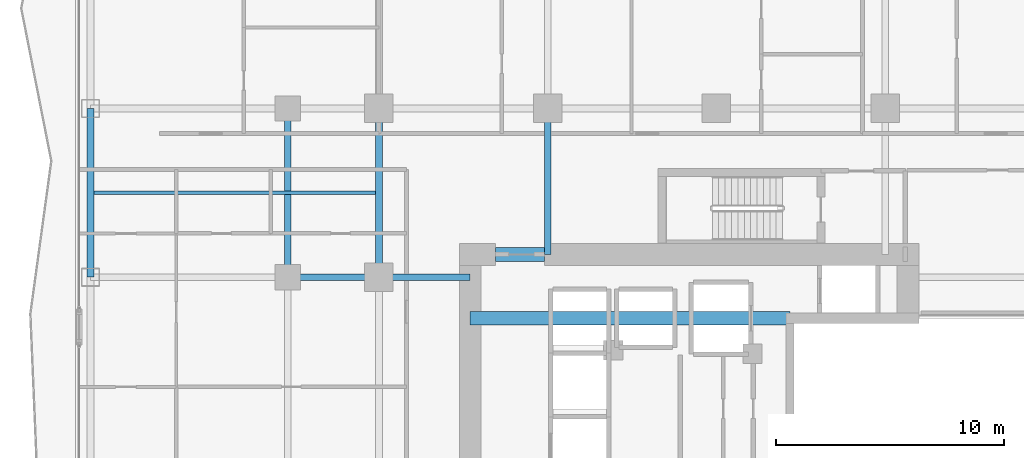
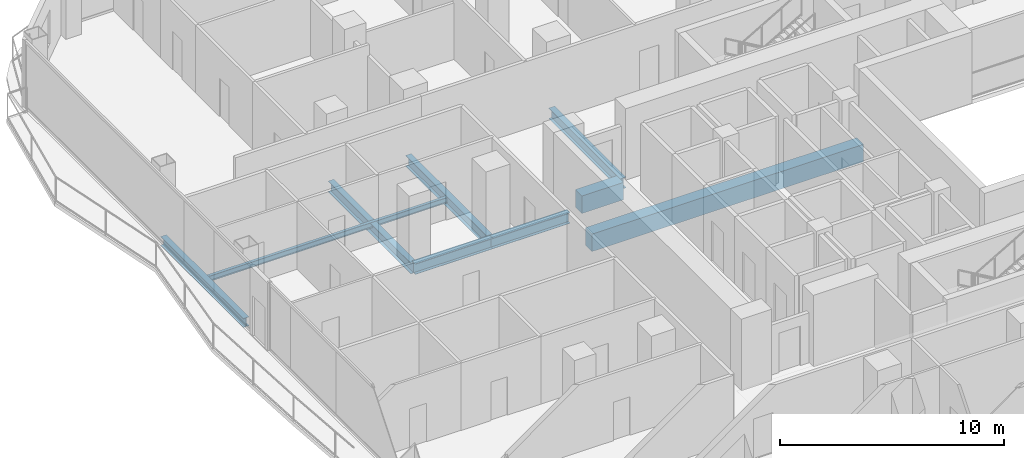
# One storey, part 7 of 28: 9 beams.
"""IFC4 building model written with IfcOpenShell, lengths in metres."""

import ifcopenshell
import ifcopenshell.guid

model = None  # the IFC model being written
_history = None  # IfcOwnerHistory: only IFC2X3 demands one
_inside = {}  # id of a spatial element -> (the spatial element, [elements in it])
_under = {}  # id of a project, library or spatial element -> (it, [spatial elements below it])
_declared = {}  # id of a project -> (the project, [libraries it declares])
_typed = {}  # id of a type object -> (the type object, [elements of that type])
_made_of = {}  # id of a material, layer set ... -> (it, [elements and type objects made of it])


def new_model(schema):
    """Start an empty IFC model of exactly this schema.

    Asked for "IFC4X3", IfcOpenShell would pick the latest addendum, in which some entities
    have other attributes; the version numbers below select the first issue.
    IFC2X3 requires an IfcOwnerHistory on every rooted entity: one is made here for all.
    """
    global model, _history
    if schema == "IFC4X3":
        model = ifcopenshell.file(schema_version=(4, 3, 0, 0))
    else:
        model = ifcopenshell.file(schema=schema)
    _inside.clear()
    _under.clear()
    _declared.clear()
    _typed.clear()
    _made_of.clear()
    _history = None
    if model.schema == "IFC2X3":
        org = make("IfcOrganization", Name="unknown")
        user = make(
            "IfcPersonAndOrganization",
            ThePerson=make("IfcPerson", FamilyName="unknown"),
            TheOrganization=org,
        )
        app = make(
            "IfcApplication",
            ApplicationDeveloper=org,
            Version="unknown",
            ApplicationFullName="unknown",
            ApplicationIdentifier="unknown",
        )
        _history = make(
            "IfcOwnerHistory",
            OwningUser=user,
            OwningApplication=app,
            ChangeAction="ADDED",
            CreationDate=0,
        )
    return model


def make(cls, **values):
    """One entity of the class cls with the attributes given. An attribute that is None is left unset."""
    return model.create_entity(
        cls, **{name: value for name, value in values.items() if value is not None}
    )


def rooted(cls, **values):
    """An entity with a GlobalId (a new one), such as an element, a storey or a relation."""
    return make(cls, GlobalId=ifcopenshell.guid.new(), OwnerHistory=_history, **values)


def si_unit(unit_type, name, prefix=None):
    """IfcSIUnit, for example si_unit("LENGTHUNIT", "METRE", prefix="MILLI")."""
    return make("IfcSIUnit", UnitType=unit_type, Prefix=prefix, Name=name)


def assignment(units):
    """IfcUnitAssignment: the units of a project."""
    return None if units is None else make("IfcUnitAssignment", Units=units)


def point(xyz):
    """IfcCartesianPoint."""
    return None if xyz is None else make("IfcCartesianPoint", Coordinates=xyz)


def direction(xyz):
    """IfcDirection."""
    return None if xyz is None else make("IfcDirection", DirectionRatios=xyz)


def frame(location, z_axis=None, x_axis=None):
    """IfcAxis2Placement3D, a coordinate frame: its origin and axes. An axis left out is left unset."""
    return make(
        "IfcAxis2Placement3D",
        Location=point(location),
        Axis=direction(z_axis),
        RefDirection=direction(x_axis),
    )


def frame_2d(location, x_axis=None):
    """IfcAxis2Placement2D, a coordinate frame in the plane: its origin and x axis."""
    return make(
        "IfcAxis2Placement2D", Location=point(location), RefDirection=direction(x_axis)
    )


def origin():
    """The frame at (0, 0, 0) with its axes left unset."""
    return frame((0.0, 0.0, 0.0))


def origin_2d():
    """The frame at (0, 0) in the plane with its x axis left unset."""
    return frame_2d((0.0, 0.0))


def place(relative_to, where):
    """IfcLocalPlacement: puts the frame where relative to a parent placement (None: the world)."""
    return make(
        "IfcLocalPlacement", PlacementRelTo=relative_to, RelativePlacement=where
    )


def context(
    kind, dimensions, precision=None, world=None, true_north=None, identifier=None
):
    """IfcGeometricRepresentationContext, for example the 3D "Model" context."""
    return make(
        "IfcGeometricRepresentationContext",
        ContextIdentifier=identifier,
        ContextType=kind,
        CoordinateSpaceDimension=dimensions,
        Precision=precision,
        WorldCoordinateSystem=world,
        TrueNorth=true_north,
    )


def subcontext(parent, identifier, kind, view, scale=None):
    """IfcGeometricRepresentationSubContext, for example "Body" below "Model"."""
    return make(
        "IfcGeometricRepresentationSubContext",
        ContextIdentifier=identifier,
        ContextType=kind,
        ParentContext=parent,
        TargetScale=scale,
        TargetView=view,
    )


def project(units=None, contexts=None):
    """IfcProject with its units and contexts."""
    return rooted(
        "IfcProject",
        Name="project",
        RepresentationContexts=contexts,
        UnitsInContext=assignment(units),
    )


def spatial(cls, under=None, at=None, **own):
    """A site, building, storey or space (cls), placed at a placement, below another one or the project."""
    s = rooted(cls, ObjectPlacement=at, **own)
    if under is not None:
        _under.setdefault(under.id(), (under, []))[1].append(s)
    return s


def profile(cls, at=None, kind="AREA", **sizes):
    """A parametric profile (cls). Its sizes go by their IFC names, for example OverallWidth=200.0."""
    return make(cls, ProfileType=kind, Position=at, **sizes)


def rectangle(**sizes):
    """IfcRectangleProfileDef."""
    return profile("IfcRectangleProfileDef", **sizes)


def i_section(**sizes):
    """IfcIShapeProfileDef."""
    return profile("IfcIShapeProfileDef", **sizes)


def extrude(swept, where, along, depth):
    """IfcExtrudedAreaSolid: the profile swept, set in the frame where, extruded along a direction by depth."""
    return make(
        "IfcExtrudedAreaSolid",
        SweptArea=swept,
        Position=where,
        ExtrudedDirection=direction(along),
        Depth=depth,
    )


def shape(context_of_items, identifier, shape_type, items):
    """IfcShapeRepresentation: the items that make up one representation, for example the "Body"."""
    return make(
        "IfcShapeRepresentation",
        ContextOfItems=context_of_items,
        RepresentationIdentifier=identifier,
        RepresentationType=shape_type,
        Items=items,
    )


def material(Name=None, Category=None):
    """IfcMaterial."""
    return make("IfcMaterial", Name=Name, Category=Category)


def material_profile(
    of_material, cross_section, Name=None, Category=None, Priority=None
):
    """IfcMaterialProfile: a cross section and its material."""
    return make(
        "IfcMaterialProfile",
        Name=Name,
        Material=of_material,
        Profile=cross_section,
        Priority=Priority,
        Category=Category,
    )


def profile_set(profiles, Name=None, composite=None):
    """IfcMaterialProfileSet."""
    return make(
        "IfcMaterialProfileSet",
        Name=Name,
        MaterialProfiles=profiles,
        CompositeProfile=composite,
    )


def made_of(thing, what):
    """Note that an element or type object is made of a material, layer set ...; save() writes the relation."""
    if what is not None:
        _made_of.setdefault(what.id(), (what, []))[1].append(thing)
    return thing


def type_object(cls, material=None, **own):
    """A type object (cls), such as IfcWallType, which elements share."""
    return made_of(rooted(cls, **own), material)


def element(
    cls,
    number,
    at=None,
    inside=None,
    cuts=None,
    type_object=None,
    material=None,
    context=None,
    identifier="Body",
    shape_type=None,
    held_by="IfcProductDefinitionShape",
    body=None,
    shapes=None,
    **own,
):
    """One element of the class cls, such as IfcWall. Its Tag is "e" and its number.

    at: its placement. inside: the storey or other place that contains it. cuts: it is an
    opening in that element (IfcRelVoidsElement). A single representation is given by context,
    identifier, shape_type and body (its items); several are given by shapes. held_by: the class
    of the entity that holds the representations. save() writes the other relations.
    """
    e = rooted(cls, Tag="e%d" % number, ObjectPlacement=at, **own)
    if body is not None:
        shapes = [shape(context, identifier, shape_type, body)]
    if shapes is not None:
        e.Representation = make(held_by, Representations=shapes)
    if inside is not None:
        _inside.setdefault(inside.id(), (inside, []))[1].append(e)
    if cuts is not None:
        rooted(
            "IfcRelVoidsElement", RelatingBuildingElement=cuts, RelatedOpeningElement=e
        )
    if type_object is not None:
        _typed.setdefault(type_object.id(), (type_object, []))[1].append(e)
    return made_of(e, material)


def aggregate(whole, parts):
    """IfcRelAggregates: a whole, such as a stair, and the parts it consists of."""
    return rooted("IfcRelAggregates", RelatingObject=whole, RelatedObjects=parts)


def save(model, path):
    """Write the relations noted so far, then the file.

    IfcRelAggregates (storeys below a building ...), IfcRelContainedInSpatialStructure (elements
    in a storey), IfcRelDefinesByType, IfcRelAssociatesMaterial and IfcRelDeclares: one each for
    every whole, place, type object, material and project.
    """
    for whole, parts in _under.values():
        aggregate(whole, parts)
    for where, things in _inside.values():
        rooted(
            "IfcRelContainedInSpatialStructure",
            RelatedElements=things,
            RelatingStructure=where,
        )
    for kind, things in _typed.values():
        rooted("IfcRelDefinesByType", RelatedObjects=things, RelatingType=kind)
    for what, things in _made_of.values():
        rooted("IfcRelAssociatesMaterial", RelatedObjects=things, RelatingMaterial=what)
    for by, libraries in _declared.values():
        rooted("IfcRelDeclares", RelatingContext=by, RelatedDefinitions=libraries)
    model.write(path)


model = new_model("IFC4")

# Units and contexts
model_context = context("Model", 3, precision=1e-05, world=origin(), true_north=direction((0.0, 1.0)))
body_context = subcontext(model_context, "Body", "Model", "MODEL_VIEW")
ifc_project = project(units=[si_unit("LENGTHUNIT", "METRE"), si_unit("AREAUNIT", "SQUARE_METRE"), si_unit("VOLUMEUNIT", "CUBIC_METRE"), si_unit("PLANEANGLEUNIT", "RADIAN"), si_unit("MASSUNIT", "GRAM", prefix="KILO")], contexts=[model_context])

# Site, building, storey
site_placement = place(None, origin())
site = spatial("IfcSite", under=ifc_project, at=site_placement, CompositionType="ELEMENT")
building_placement = place(site_placement, origin())
building = spatial("IfcBuilding", under=site, at=building_placement, Name="Khorvyn Point Tower", CompositionType="ELEMENT")
storey_placement = place(building_placement, frame((0.0, 0.0, 100.800048828125)))
storey = spatial("IfcBuildingStorey", under=building, at=storey_placement, Name="L25", CompositionType="ELEMENT", Elevation=100.800048828125)

# Beams
ifc_material_1 = material(Name="Concrete C50/60", Category="concrete")
ifc_material_profile_1 = material_profile(ifc_material_1, rectangle(XDim=0.60009765625, YDim=0.949951171875, at=origin_2d()))
ifc_profile_set_1 = profile_set([ifc_material_profile_1], Name="Concrete C50/60 RC600x950")
beam_type_1 = type_object("IfcBeamType", Name="Concrete C50/60 Beam RC600x950", PredefinedType="BEAM", material=ifc_profile_set_1)
beam_1_placement = place(storey_placement, frame((-10.800048828125, 5.60009765625, -0.695068359375), z_axis=(1.0, 0.0, 0.0), x_axis=(0.0, 1.0, 0.0)))
element("IfcBeam", 1, at=beam_1_placement, inside=storey, type_object=beam_type_1, Name="L25 Core Internal Tie Girder N", PredefinedType="BEAM", context=body_context, shape_type="SweptSolid", body=[
    extrude(rectangle(XDim=0.60009765625, YDim=0.949951171875, at=origin_2d()), origin(), (0.0, 0.0, 1.0), 14.02001953125),
])
beam_2_placement = place(storey_placement, frame((-9.699951171875, 8.39990234375, -0.695068359375), z_axis=(1.0, 0.0, 0.0), x_axis=(0.0, 1.0, 0.0)))
element("IfcBeam", 2, at=beam_2_placement, inside=storey, type_object=beam_type_1, Name="L25 Core Northwest Portal Coupling Beam", PredefinedType="BEAM", context=body_context, shape_type="SweptSolid", body=[
    extrude(rectangle(XDim=0.60009765625, YDim=0.949951171875, at=origin_2d()), origin(), (0.0, 0.0, 1.0), 2.14990234375),
])
ifc_material_2 = material(Name="Steel S355", Category="steel")
ifc_material_profile_2 = material_profile(ifc_material_2, i_section(OverallWidth=0.300048828125, OverallDepth=0.587890625, WebThickness=0.011962890625, FlangeThickness=0.02001953125, at=origin_2d()))
ifc_profile_set_2 = profile_set([ifc_material_profile_2], Name="Steel S355 H588x300x12x20")
beam_type_2 = type_object("IfcBeamType", Name="Steel S355 Beam H588x300x12x20", PredefinedType="BEAM", material=ifc_profile_set_2)
for number, where, z_axis, x_axis, name in (
    (3, (-18.800048828125, 7.39990234375, -0.51416015625), (1.0, 0.0, 0.0), (0.0, 1.0, 0.0), "Beam"),
    (4, (-14.800048828125, 7.39990234375, -0.51416015625), (1.0, 0.0, 0.0), (0.0, 1.0, 0.0), "Beam"),
):
    element("IfcBeam", number, at=place(storey_placement, frame(where, z_axis=z_axis, x_axis=x_axis)), inside=storey, type_object=beam_type_2, Name=name, PredefinedType="BEAM", context=body_context, shape_type="SweptSolid", body=[
        extrude(i_section(OverallWidth=0.300048828125, OverallDepth=0.587890625, WebThickness=0.011962890625, FlangeThickness=0.02001953125, at=origin_2d()), origin(), (0.0, 0.0, 1.0), 4.0),
    ])
beam_3_placement = place(storey_placement, frame((-14.800048828125, 7.39990234375, -0.51416015625), z_axis=(0.0, 1.0, 0.0), x_axis=(-1.0, 0.0, 0.0)))
element("IfcBeam", 5, at=beam_3_placement, inside=storey, type_object=beam_type_2, Name="Beam", PredefinedType="BEAM", context=body_context, shape_type="SweptSolid", body=[
    extrude(i_section(OverallWidth=0.300048828125, OverallDepth=0.587890625, WebThickness=0.011962890625, FlangeThickness=0.02001953125, at=origin_2d()), origin(), (0.0, 0.0, 1.0), 7.400146484375),
])
beam_4_placement = place(storey_placement, frame((-7.39990234375, 8.39990234375, -0.51416015625), z_axis=(0.0, 1.0, 0.0), x_axis=(-1.0, 0.0, 0.0)))
element("IfcBeam", 6, at=beam_4_placement, inside=storey, type_object=beam_type_2, Name="Beam", PredefinedType="BEAM", context=body_context, shape_type="SweptSolid", body=[
    extrude(i_section(OverallWidth=0.300048828125, OverallDepth=0.587890625, WebThickness=0.011962890625, FlangeThickness=0.02001953125, at=origin_2d()), origin(), (0.0, 0.0, 1.0), 6.400146484375),
])
beam_5_placement = place(storey_placement, frame((-18.800048828125, 7.39990234375, -0.51416015625), z_axis=(0.0, 1.0, 0.0), x_axis=(-1.0, 0.0, 0.0)))
element("IfcBeam", 7, at=beam_5_placement, inside=storey, type_object=beam_type_2, Name="Beam", PredefinedType="BEAM", context=body_context, shape_type="SweptSolid", body=[
    extrude(i_section(OverallWidth=0.300048828125, OverallDepth=0.587890625, WebThickness=0.011962890625, FlangeThickness=0.02001953125, at=origin_2d()), origin(), (0.0, 0.0, 1.0), 7.400146484375),
])
ifc_material_profile_3 = material_profile(ifc_material_2, i_section(OverallWidth=0.14990234375, OverallDepth=0.300048828125, WebThickness=0.006591796875, FlangeThickness=0.009033203125, at=origin_2d()))
ifc_profile_set_3 = profile_set([ifc_material_profile_3], Name="Steel S355 H300x150x6.5x9")
beam_type_3 = type_object("IfcBeamType", Name="Steel S355 Joist H300x150x6.5x9", PredefinedType="JOIST", material=ifc_profile_set_3)
beam_6_placement = place(storey_placement, frame((-27.300048828125, 11.10009765625, -0.3701171875), z_axis=(1.0, 0.0, 0.0), x_axis=(0.0, 1.0, 0.0)))
element("IfcBeam", 8, at=beam_6_placement, inside=storey, type_object=beam_type_3, Name="Beam", PredefinedType="JOIST", context=body_context, shape_type="SweptSolid", body=[
    extrude(i_section(OverallWidth=0.14990234375, OverallDepth=0.300048828125, WebThickness=0.006591796875, FlangeThickness=0.009033203125, at=origin_2d()), origin(), (0.0, 0.0, 1.0), 12.35009765625),
])
ifc_material_profile_4 = material_profile(ifc_material_2, i_section(OverallWidth=0.300048828125, OverallDepth=0.488037109375, WebThickness=0.010986328125, FlangeThickness=0.01806640625, at=origin_2d()))
ifc_profile_set_4 = profile_set([ifc_material_profile_4], Name="Steel S355 H488x300x11x18")
beam_type_4 = type_object("IfcBeamType", Name="Steel S355 Spandrel H488x300x11x18", PredefinedType="SPANDREL", material=ifc_profile_set_4)
beam_7_placement = place(storey_placement, frame((-27.449951171875, 7.39990234375, -0.464111328125), z_axis=(0.0, 1.0, 0.0), x_axis=(-1.0, 0.0, 0.0)))
element("IfcBeam", 9, at=beam_7_placement, inside=storey, type_object=beam_type_4, Name="Beam", PredefinedType="SPANDREL", context=body_context, shape_type="SweptSolid", body=[
    extrude(i_section(OverallWidth=0.300048828125, OverallDepth=0.488037109375, WebThickness=0.010986328125, FlangeThickness=0.01806640625, at=origin_2d()), origin(), (0.0, 0.0, 1.0), 7.400146484375),
])

save(model, "model.ifc")
